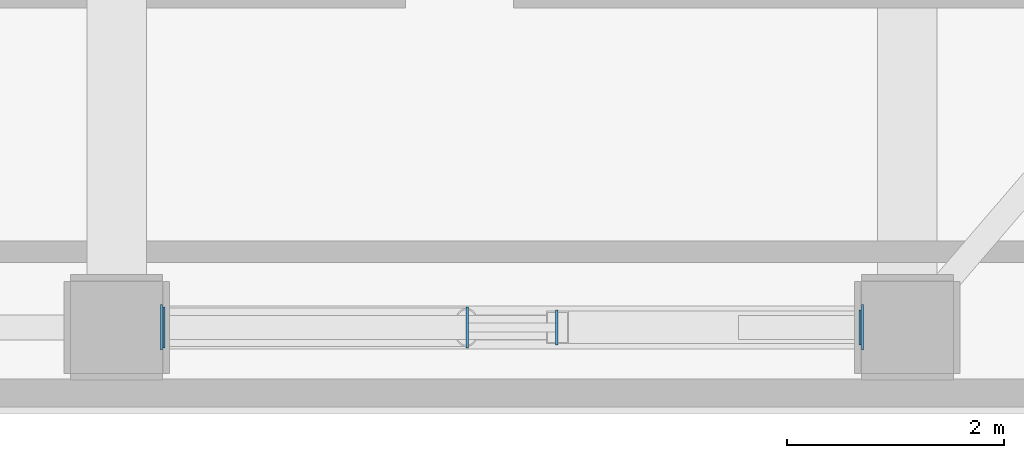
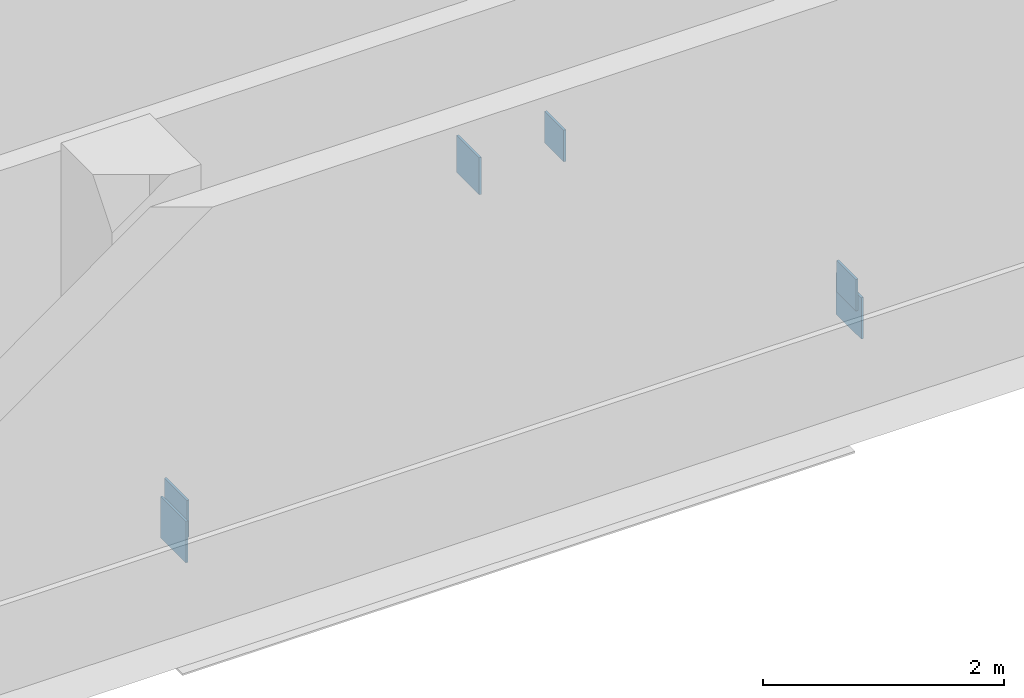
# One storey, part 4 of 13: 6 plates.
"""IFC4 building model written with IfcOpenShell, lengths in metres."""

from ifc_helpers import new_model, si_unit, direction, frame, origin, origin_2d, place, context, subcontext, project, spatial, rectangle, extrude, material, layer, layer_set, type_object, element, save


model = new_model("IFC4")

# Units and contexts
model_context = context("Model", 3, precision=1e-05, world=origin(), true_north=direction((0.0, 1.0)))
body_context = subcontext(model_context, "Body", "Model", "MODEL_VIEW")
ifc_project = project(units=[si_unit("LENGTHUNIT", "METRE"), si_unit("AREAUNIT", "SQUARE_METRE"), si_unit("VOLUMEUNIT", "CUBIC_METRE"), si_unit("PLANEANGLEUNIT", "RADIAN"), si_unit("MASSUNIT", "GRAM", prefix="KILO")], contexts=[model_context])

# Site, building, storey
site_placement = place(None, origin())
site = spatial("IfcSite", under=ifc_project, at=site_placement, CompositionType="ELEMENT")
building_placement = place(site_placement, origin())
building = spatial("IfcBuilding", under=site, at=building_placement, Name="Solanera Arch Residences", CompositionType="ELEMENT")
storey_placement = place(building_placement, frame((0.0, 0.0, 257.840087890625)))
storey = spatial("IfcBuildingStorey", under=building, at=storey_placement, Name="L75", CompositionType="ELEMENT", Elevation=257.840087890625)

# Plates
ifc_material = material(Name="Steel S355 (ASTM A992 / A572 Grade 50)", Category="steel")
ifc_layer = layer(ifc_material, 0.02001953125)
ifc_layer_set = layer_set([ifc_layer], Name="Steel S355 (ASTM A992 / A572 Grade 50)")
plate_type = type_object("IfcPlateType", Name="End Cap Plate EC-20", PredefinedType="USERDEFINED", material=ifc_layer_set)
for number, where, z_axis, x_axis, name in (
    (1, (29.614990234375, 17.050048828125, 0.239990234375), (0.0, 0.0, 1.0), (-1.0, 0.0, 0.0), "Hollow Section End Cap 223"),
    (2, (36.0849609375, 17.050048828125, 0.239990234375), (0.0, 0.0, 1.0), (1.0, 0.0, 0.0), "Hollow Section End Cap 224"),
):
    element("IfcPlate", number, at=place(storey_placement, frame(where, z_axis=z_axis, x_axis=x_axis)), inside=storey, type_object=plate_type, Name=name, ObjectType="STIFFENER", PredefinedType="USERDEFINED", context=body_context, shape_type="SweptSolid", body=[
        extrude(rectangle(XDim=0.02001953125, YDim=0.419921875, at=origin_2d()), origin(), (0.0, 0.0, 1.0), 0.419921875),
    ])
for number, where, z_axis, x_axis, name in (
    (3, (29.637939453125, 17.050048828125, 0.474853515625), (0.0, 0.0, 1.0), (-1.0, 0.0, 0.0), "Hollow Section End Cap 225"),
    (4, (32.43701171875, 17.050048828125, 2.9658203125), (0.0, 0.0, 1.0), (1.0, 0.0, 0.0), "Hollow Section End Cap 226"),
):
    element("IfcPlate", number, at=place(storey_placement, frame(where, z_axis=z_axis, x_axis=x_axis)), inside=storey, type_object=plate_type, Name=name, ObjectType="STIFFENER", PredefinedType="USERDEFINED", context=body_context, shape_type="SweptSolid", body=[
        extrude(rectangle(XDim=0.02001953125, YDim=0.3759765625, at=origin_2d()), origin(), (0.0, 0.0, 1.0), 0.3759765625),
    ])
for number, where, z_axis, x_axis, name in (
    (5, (36.06201171875, 17.050048828125, 0.5029296875), (0.0, 0.0, 1.0), (1.0, 0.0, 0.0), "Hollow Section End Cap 227"),
    (6, (33.262939453125, 17.050048828125, 2.99365234375), (0.0, 0.0, 1.0), (-1.0, 0.0, 0.0), "Hollow Section End Cap 228"),
):
    element("IfcPlate", number, at=place(storey_placement, frame(where, z_axis=z_axis, x_axis=x_axis)), inside=storey, type_object=plate_type, Name=name, ObjectType="STIFFENER", PredefinedType="USERDEFINED", context=body_context, shape_type="SweptSolid", body=[
        extrude(rectangle(XDim=0.02001953125, YDim=0.320068359375, at=origin_2d()), origin(), (0.0, 0.0, 1.0), 0.320068359375),
    ])

save(model, "model.ifc")
